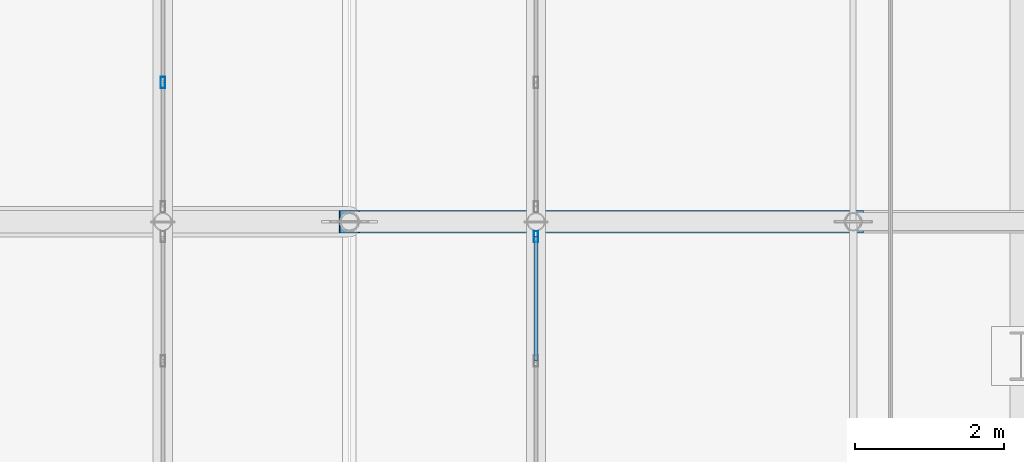
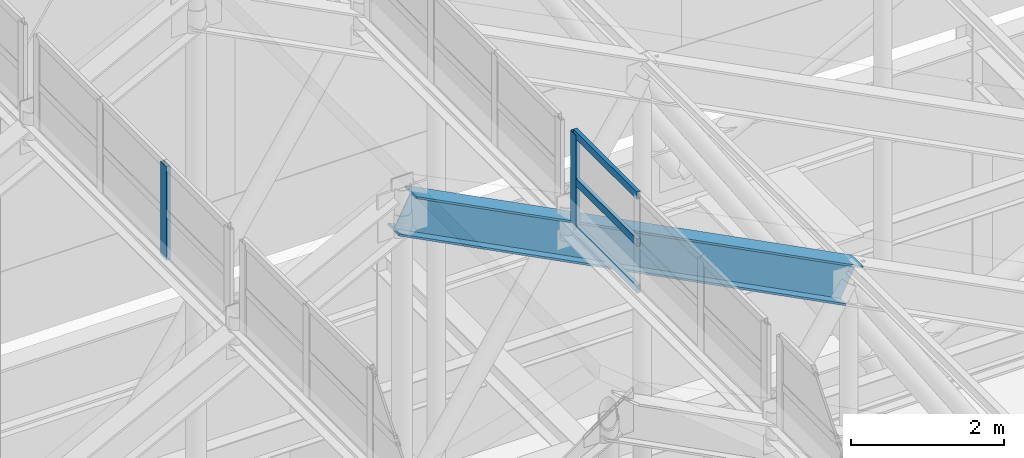
# One storey, part 43 of 84: 6 members, 2 elements without a shape of their own.
"""IFC4 building model written with IfcOpenShell, lengths in metres."""

from ifc_helpers import new_model, si_unit, direction, frame, origin, origin_2d, place, context, subcontext, project, spatial, hollow_rectangle, i_section, extrude, material, layer, layer_set, material_profile, profile_set, type_object, element, aggregate, save


model = new_model("IFC4")

# Units and contexts
model_context = context("Model", 3, precision=1e-05, world=origin(), true_north=direction((0.0, 1.0)))
body_context = subcontext(model_context, "Body", "Model", "MODEL_VIEW")
ifc_project = project(units=[si_unit("LENGTHUNIT", "METRE"), si_unit("AREAUNIT", "SQUARE_METRE"), si_unit("VOLUMEUNIT", "CUBIC_METRE"), si_unit("PLANEANGLEUNIT", "RADIAN"), si_unit("MASSUNIT", "GRAM", prefix="KILO")], contexts=[model_context])

# Site, building, storey
site_placement = place(None, origin())
site = spatial("IfcSite", under=ifc_project, at=site_placement, CompositionType="ELEMENT")
building_placement = place(site_placement, origin())
building = spatial("IfcBuilding", under=site, at=building_placement, Name="Sundgate Opera House", CompositionType="ELEMENT")
storey_placement = place(building_placement, frame((0.0, 0.0, 30.60009765625)))
storey = spatial("IfcBuildingStorey", under=building, at=storey_placement, Name="L06", CompositionType="ELEMENT", Elevation=30.60009765625)

# Curtain wall, member
ifc_material_1 = material(Name="Anodized aluminium and low-iron glass", Category="aluminium")
ifc_layer = layer(ifc_material_1, 0.169921875)
ifc_layer_set = layer_set([ifc_layer], Name="Anodized aluminium and low-iron glass")
curtain_wall_type = type_object("IfcCurtainWallType", Name="CW-LANTERN-POLY", PredefinedType="NOTDEFINED", material=ifc_layer_set)
curtain_wall_1_placement = place(storey_placement, origin())
curtain_wall_1 = element("IfcCurtainWall", 1, at=curtain_wall_1_placement, inside=storey, type_object=curtain_wall_type, Name="L06 Curtain Wall CW182", PredefinedType="NOTDEFINED")
ifc_material_2 = material(Name="Anodized aluminium EN AW-6063", Category="aluminium")
ifc_material_profile_1 = material_profile(ifc_material_2, hollow_rectangle(XDim=0.06005859375, YDim=0.14990234375, WallThickness=0.00390625, at=origin_2d()), Name="CWM 150x60x4")
ifc_profile_set_1 = profile_set([ifc_material_profile_1], Name="Anodized aluminium EN AW-6063")
member_type_1 = type_object("IfcMemberType", Name="CWM-ALU-150x60", PredefinedType="MULLION", material=ifc_profile_set_1)
member_1_placement = place(storey_placement, frame((56.5, 70.60009765625, 16.199951171875), z_axis=(0.0, 0.0, 1.0), x_axis=(1.0, 0.0, 0.0)))
member_1 = element("IfcMember", 2, at=member_1_placement, type_object=member_type_1, Name="CW182 Mullion 4", PredefinedType="MULLION", context=body_context, shape_type="SweptSolid", body=[
    extrude(hollow_rectangle(XDim=0.06005859375, YDim=0.14990234375, WallThickness=0.00390625, at=origin_2d()), origin(), (0.0, 0.0, 1.0), 1.5),
])

curtain_wall_2_placement = place(storey_placement, origin())
curtain_wall_2 = element("IfcCurtainWall", 3, at=curtain_wall_2_placement, inside=storey, type_object=curtain_wall_type, Name="L06 Curtain Wall CW183", PredefinedType="NOTDEFINED")
member_2_placement = place(storey_placement, frame((51.5, 72.666748046875, 16.199951171875), z_axis=(0.0, 0.0, 1.0), x_axis=(1.0, 0.0, 0.0)))
member_2 = element("IfcMember", 4, at=member_2_placement, type_object=member_type_1, Name="CW183 Mullion 3", PredefinedType="MULLION", context=body_context, shape_type="SweptSolid", body=[
    extrude(hollow_rectangle(XDim=0.06005859375, YDim=0.14990234375, WallThickness=0.00390625, at=origin_2d()), origin(), (0.0, 0.0, 1.0), 1.5),
])
aggregate(curtain_wall_2, [member_2])

# Member
ifc_material_3 = material(Name="Anodized aluminium EN AW-6063", Category="aluminium")
ifc_material_profile_2 = material_profile(ifc_material_3, hollow_rectangle(XDim=0.054931640625, YDim=0.1201171875, WallThickness=0.00390625, at=origin_2d()), Name="CWT 120x55x4")
ifc_profile_set_2 = profile_set([ifc_material_profile_2], Name="Anodized aluminium EN AW-6063")
member_type_2 = type_object("IfcMemberType", Name="CWT-ALU-120x55", PredefinedType="USERDEFINED", material=ifc_profile_set_2)
member_3_placement = place(storey_placement, frame((56.5, 68.933349609375, 16.199951171875), z_axis=(0.0, 1.0, 0.0), x_axis=(-1.0, 0.0, 0.0)))
member_3 = element("IfcMember", 5, at=member_3_placement, type_object=member_type_2, Name="CW182 Transom 7", ObjectType="TRANSOM", PredefinedType="USERDEFINED", context=body_context, shape_type="SweptSolid", body=[
    extrude(hollow_rectangle(XDim=0.054931640625, YDim=0.1201171875, WallThickness=0.00390625, at=origin_2d()), origin(), (0.0, 0.0, 1.0), 1.666748046875),
])

member_4_placement = place(storey_placement, frame((56.5, 68.933349609375, 16.949951171875), z_axis=(0.0, 1.0, 0.0), x_axis=(-1.0, 0.0, 0.0)))
member_4 = element("IfcMember", 6, at=member_4_placement, type_object=member_type_2, Name="CW182 Transom 8", ObjectType="TRANSOM", PredefinedType="USERDEFINED", context=body_context, shape_type="SweptSolid", body=[
    extrude(hollow_rectangle(XDim=0.054931640625, YDim=0.1201171875, WallThickness=0.00390625, at=origin_2d()), origin(), (0.0, 0.0, 1.0), 1.666748046875),
])

member_5_placement = place(storey_placement, frame((56.5, 68.933349609375, 17.699951171875), z_axis=(0.0, 1.0, 0.0), x_axis=(-1.0, 0.0, 0.0)))
member_5 = element("IfcMember", 7, at=member_5_placement, type_object=member_type_2, Name="CW182 Transom 9", ObjectType="TRANSOM", PredefinedType="USERDEFINED", context=body_context, shape_type="SweptSolid", body=[
    extrude(hollow_rectangle(XDim=0.054931640625, YDim=0.1201171875, WallThickness=0.00390625, at=origin_2d()), origin(), (0.0, 0.0, 1.0), 1.666748046875),
])

aggregate(curtain_wall_1, [member_1, member_3, member_4, member_5])

ifc_material_4 = material(Name="Steel S355J2", Category="steel")
ifc_material_profile_3 = material_profile(ifc_material_4, i_section(OverallWidth=0.300048828125, OverallDepth=0.60009765625, WebThickness=0.015380859375, FlangeThickness=0.030029296875, at=origin_2d()), Name="HEB 600")
ifc_profile_set_3 = profile_set([ifc_material_profile_3], Name="Steel S355J2")
member_type_3 = type_object("IfcMemberType", Name="MB-CHORD-HEB600", PredefinedType="CHORD", material=ifc_profile_set_3)
member_6_placement = place(storey_placement, frame((54.0, 70.800048828125, 17.199951171875), z_axis=(0.888960276237, 0.0, -0.457984308981), x_axis=(0.0, 1.0, 0.0)))
element("IfcMember", 8, at=member_6_placement, inside=storey, type_object=member_type_3, Name="L06 Fly-Tower Truss Top Chord M0162", PredefinedType="CHORD", context=body_context, shape_type="SweptSolid", body=[
    extrude(i_section(OverallWidth=0.300048828125, OverallDepth=0.60009765625, WebThickness=0.015380859375, FlangeThickness=0.030029296875, at=origin_2d()), origin(), (0.0, 0.0, 1.0), 7.59326171875),
])

save(model, "model.ifc")
